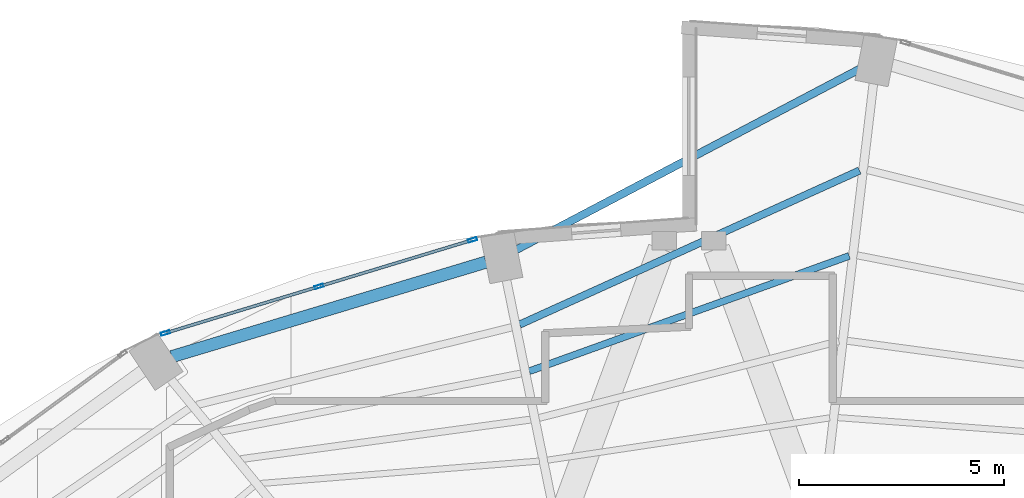
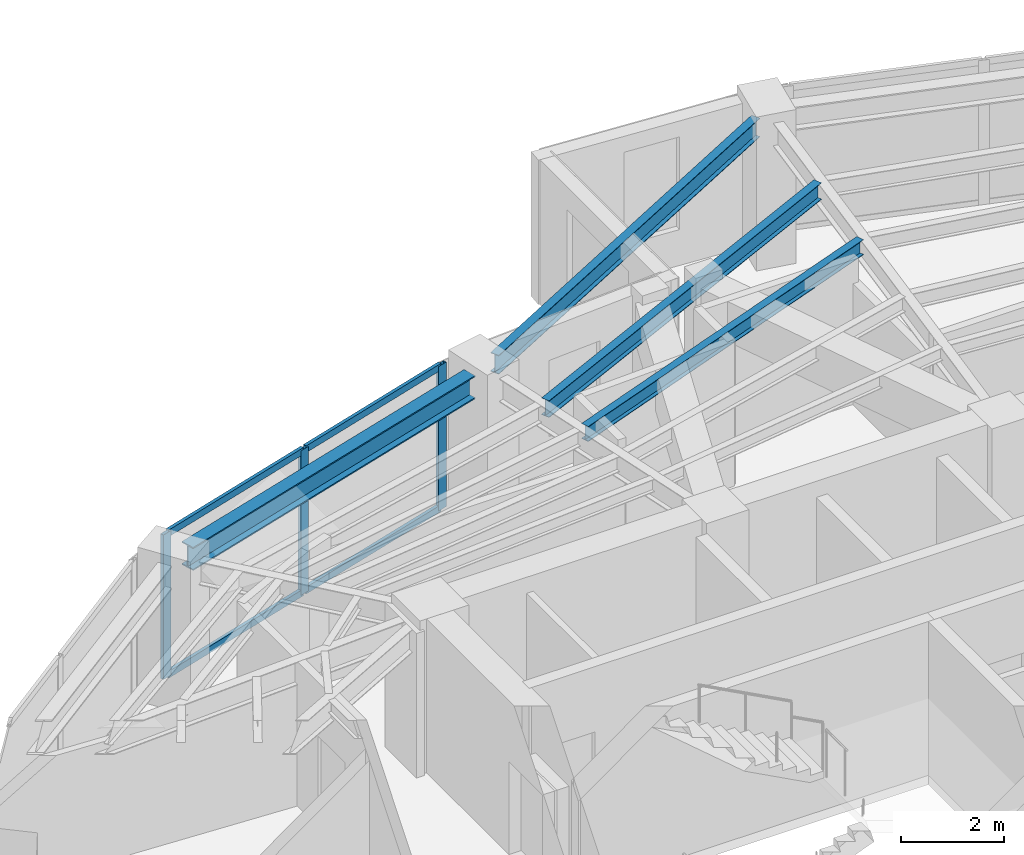
# One storey, part 12 of 20: 7 members, 4 beams, 1 element without a shape of its own.
"""IFC4 building model written with IfcOpenShell, lengths in metres."""

from ifc_helpers import new_model, si_unit, direction, frame, origin, origin_2d, place, context, subcontext, project, spatial, hollow_rectangle, i_section, extrude, material, layer, layer_set, material_profile, profile_set, type_object, element, aggregate, save


model = new_model("IFC4")

# Units and contexts
model_context = context("Model", 3, precision=1e-05, world=origin(), true_north=direction((0.0, 1.0)))
body_context = subcontext(model_context, "Body", "Model", "MODEL_VIEW")
ifc_project = project(units=[si_unit("LENGTHUNIT", "METRE"), si_unit("AREAUNIT", "SQUARE_METRE"), si_unit("VOLUMEUNIT", "CUBIC_METRE"), si_unit("PLANEANGLEUNIT", "RADIAN"), si_unit("MASSUNIT", "GRAM", prefix="KILO")], contexts=[model_context])

# Site, building, storey
site_placement = place(None, origin())
site = spatial("IfcSite", under=ifc_project, at=site_placement, CompositionType="ELEMENT")
building_placement = place(site_placement, origin())
building = spatial("IfcBuilding", under=site, at=building_placement, Name="Lazwardi Medical Tower", CompositionType="ELEMENT")
storey_placement = place(building_placement, frame((0.0, 0.0, 178.416015625)))
storey = spatial("IfcBuildingStorey", under=building, at=storey_placement, Name="L46", CompositionType="ELEMENT", Elevation=178.416015625)

# Beams
ifc_material_1 = material(Name="Steel S355", Category="steel")
ifc_material_profile_1 = material_profile(ifc_material_1, i_section(OverallWidth=0.300048828125, OverallDepth=0.550048828125, WebThickness=0.014892578125, FlangeThickness=0.029052734375, at=origin_2d()), Name="HEB 550")
ifc_profile_set_1 = profile_set([ifc_material_profile_1], Name="Steel S355")
beam_type_1 = type_object("IfcBeamType", Name="BM-RB-Z3", PredefinedType="BEAM", material=ifc_profile_set_1)
beam_1_placement = place(storey_placement, frame((31.056884765625, 42.133544921875, 3.153076171875), z_axis=(-0.957616873483, -0.288045002771, 0.0), x_axis=(0.288045002771, -0.957616873483, 0.0)))
element("IfcBeam", 1, at=beam_1_placement, inside=storey, type_object=beam_type_1, Name="Ring beam RB-04 B09 L46", PredefinedType="BEAM", context=body_context, shape_type="SweptSolid", body=[
    extrude(i_section(OverallWidth=0.300048828125, OverallDepth=0.550048828125, WebThickness=0.014892578125, FlangeThickness=0.029052734375, at=origin_2d()), origin(), (0.0, 0.0, 1.0), 7.99951171875),
])
ifc_material_profile_2 = material_profile(ifc_material_1, i_section(OverallWidth=0.179931640625, OverallDepth=0.39990234375, WebThickness=0.008544921875, FlangeThickness=0.013427734375, at=origin_2d()), Name="IPE 400")
ifc_profile_set_2 = profile_set([ifc_material_profile_2], Name="Steel S355")
beam_type_2 = type_object("IfcBeamType", Name="BM-SJ-01", PredefinedType="JOIST", material=ifc_profile_set_2)
beam_2_placement = place(storey_placement, frame((40.155029296875, 44.3642578125, 3.22802734375), z_axis=(-0.910834000674, -0.412772846995, 0.0), x_axis=(0.412772846995, -0.910834000674, 0.0)))
element("IfcBeam", 2, at=beam_2_placement, inside=storey, type_object=beam_type_2, Name="Secondary joist SJ-01 R1 B08 L46", PredefinedType="JOIST", context=body_context, shape_type="SweptSolid", body=[
    extrude(i_section(OverallWidth=0.179931640625, OverallDepth=0.39990234375, WebThickness=0.008544921875, FlangeThickness=0.013427734375, at=origin_2d()), origin(), (0.0, 0.0, 1.0), 9.09130859375),
])
ifc_material_profile_3 = material_profile(ifc_material_1, i_section(OverallWidth=0.169921875, OverallDepth=0.360107421875, WebThickness=0.008056640625, FlangeThickness=0.0126953125, at=origin_2d()), Name="IPE 360")
ifc_profile_set_3 = profile_set([ifc_material_profile_3], Name="Steel S355")
beam_type_3 = type_object("IfcBeamType", Name="BM-SJ-02", PredefinedType="JOIST", material=ifc_profile_set_3)
beam_3_placement = place(storey_placement, frame((39.904052734375, 42.284423828125, 3.248046875), z_axis=(-0.940747993319, -0.339106492221, 0.0), x_axis=(0.339106492221, -0.940747993319, 0.0)))
element("IfcBeam", 3, at=beam_3_placement, inside=storey, type_object=beam_type_3, Name="Secondary joist SJ-02 R2 B08 L46", PredefinedType="JOIST", context=body_context, shape_type="SweptSolid", body=[
    extrude(i_section(OverallWidth=0.169921875, OverallDepth=0.360107421875, WebThickness=0.008056640625, FlangeThickness=0.0126953125, at=origin_2d()), origin(), (0.0, 0.0, 1.0), 8.28662109375),
])
ifc_material_profile_4 = material_profile(ifc_material_1, i_section(OverallWidth=0.18994140625, OverallDepth=0.449951171875, WebThickness=0.009521484375, FlangeThickness=0.0146484375, at=origin_2d()), Name="IPE 450")
ifc_profile_set_4 = profile_set([ifc_material_profile_4], Name="Steel S355")
beam_type_4 = type_object("IfcBeamType", Name="BM-SP-01", PredefinedType="SPANDREL", material=ifc_profile_set_4)
beam_4_placement = place(storey_placement, frame((40.206298828125, 46.862548828125, 3.202880859375), z_axis=(-0.884926578414, -0.465730556026, 0.0), x_axis=(0.465730556026, -0.884926578414, 0.0)))
element("IfcBeam", 4, at=beam_4_placement, inside=storey, type_object=beam_type_4, Name="Spandrel beam SP-01 B08 L46", PredefinedType="SPANDREL", context=body_context, shape_type="SweptSolid", body=[
    extrude(i_section(OverallWidth=0.18994140625, OverallDepth=0.449951171875, WebThickness=0.009521484375, FlangeThickness=0.0146484375, at=origin_2d()), origin(), (0.0, 0.0, 1.0), 9.506591796875),
])

# Curtain wall, members
ifc_material_2 = material(Name="Anodised bronze aluminium and solar control glazing", Category="aluminium")
ifc_layer = layer(ifc_material_2, 0.195068359375)
ifc_layer_set = layer_set([ifc_layer], Name="Anodised bronze aluminium and solar control glazing")
curtain_wall_type = type_object("IfcCurtainWallType", Name="CW-SYS-03", PredefinedType="NOTDEFINED", material=ifc_layer_set)
curtain_wall_placement = place(storey_placement, origin())
curtain_wall = element("IfcCurtainWall", 5, at=curtain_wall_placement, inside=storey, type_object=curtain_wall_type, Name="L46 Unitised bronze curtain wall CW-03", PredefinedType="NOTDEFINED")
ifc_material_3 = material(Name="Anodised bronze aluminium", Category="aluminium")
ifc_material_profile_5 = material_profile(ifc_material_3, hollow_rectangle(XDim=0.074951171875, YDim=0.219970703125, WallThickness=0.00390625, at=origin_2d()), Name="ALU-MULLION 220x75x4")
ifc_profile_set_5 = profile_set([ifc_material_profile_5], Name="Anodised bronze aluminium")
member_type_1 = type_object("IfcMemberType", Name="CW-MUL-01", PredefinedType="MULLION", material=ifc_profile_set_5)
member_1_placement = place(storey_placement, frame((30.72802734375, 42.674072265625, 0.0), z_axis=(0.0, 0.0, 1.0), x_axis=(0.290280785441, -0.956941516292, 0.0)))
member_1 = element("IfcMember", 6, at=member_1_placement, type_object=member_type_1, Name="CW-03 mullion 1", PredefinedType="MULLION", context=body_context, shape_type="SweptSolid", body=[
    extrude(hollow_rectangle(XDim=0.074951171875, YDim=0.219970703125, WallThickness=0.00390625, at=origin_2d()), origin(), (0.0, 0.0, 1.0), 3.427978515625),
])
member_2_placement = place(storey_placement, frame((26.98486328125, 41.538818359375, 0.0), z_axis=(0.0, 0.0, 1.0), x_axis=(0.290280785441, -0.956941516292, 0.0)))
member_2 = element("IfcMember", 7, at=member_2_placement, type_object=member_type_1, Name="CW-03 mullion 2", PredefinedType="MULLION", context=body_context, shape_type="SweptSolid", body=[
    extrude(hollow_rectangle(XDim=0.074951171875, YDim=0.219970703125, WallThickness=0.00390625, at=origin_2d()), origin(), (0.0, 0.0, 1.0), 3.427978515625),
])
member_3_placement = place(storey_placement, frame((23.241943359375, 40.4033203125, 0.0), z_axis=(0.0, 0.0, 1.0), x_axis=(0.290280785441, -0.956941516292, 0.0)))
member_3 = element("IfcMember", 8, at=member_3_placement, type_object=member_type_1, Name="CW-03 mullion 3", PredefinedType="MULLION", context=body_context, shape_type="SweptSolid", body=[
    extrude(hollow_rectangle(XDim=0.074951171875, YDim=0.219970703125, WallThickness=0.00390625, at=origin_2d()), origin(), (0.0, 0.0, 1.0), 3.427978515625),
])
ifc_material_profile_6 = material_profile(ifc_material_3, hollow_rectangle(XDim=0.074951171875, YDim=0.159912109375, WallThickness=0.00390625, at=origin_2d()), Name="ALU-TRANSOM 160x75x4")
ifc_profile_set_6 = profile_set([ifc_material_profile_6], Name="Anodised bronze aluminium")
member_type_2 = type_object("IfcMemberType", Name="CW-TRN-01", PredefinedType="USERDEFINED", material=ifc_profile_set_6)
member_4_placement = place(storey_placement, frame((30.692138671875, 42.663330078125, 0.03759765625), z_axis=(-0.956935517424, -0.290300560612, 0.0), x_axis=(0.290300560612, -0.956935517424, 0.0)))
member_4 = element("IfcMember", 9, at=member_4_placement, type_object=member_type_2, Name="CW-03 transom 1.1", ObjectType="TRANSOM", PredefinedType="USERDEFINED", context=body_context, shape_type="SweptSolid", body=[
    extrude(hollow_rectangle(XDim=0.074951171875, YDim=0.159912109375, WallThickness=0.00390625, at=origin_2d()), origin(), (0.0, 0.0, 1.0), 3.836669921875),
])
member_5_placement = place(storey_placement, frame((30.692138671875, 42.663330078125, 3.390380859375), z_axis=(-0.956935517424, -0.290300560612, 0.0), x_axis=(0.290300560612, -0.956935517424, 0.0)))
member_5 = element("IfcMember", 10, at=member_5_placement, type_object=member_type_2, Name="CW-03 transom 1.2", ObjectType="TRANSOM", PredefinedType="USERDEFINED", context=body_context, shape_type="SweptSolid", body=[
    extrude(hollow_rectangle(XDim=0.074951171875, YDim=0.159912109375, WallThickness=0.00390625, at=origin_2d()), origin(), (0.0, 0.0, 1.0), 3.836669921875),
])
member_6_placement = place(storey_placement, frame((26.948974609375, 41.52783203125, 0.03759765625), z_axis=(-0.956930154175, -0.290318239233, 0.0), x_axis=(0.290318239233, -0.956930154175, 0.0)))
member_6 = element("IfcMember", 11, at=member_6_placement, type_object=member_type_2, Name="CW-03 transom 2.1", ObjectType="TRANSOM", PredefinedType="USERDEFINED", context=body_context, shape_type="SweptSolid", body=[
    extrude(hollow_rectangle(XDim=0.074951171875, YDim=0.159912109375, WallThickness=0.00390625, at=origin_2d()), origin(), (0.0, 0.0, 1.0), 3.83642578125),
])
member_7_placement = place(storey_placement, frame((26.948974609375, 41.52783203125, 3.390380859375), z_axis=(-0.956930154175, -0.290318239233, 0.0), x_axis=(0.290318239233, -0.956930154175, 0.0)))
member_7 = element("IfcMember", 12, at=member_7_placement, type_object=member_type_2, Name="CW-03 transom 2.2", ObjectType="TRANSOM", PredefinedType="USERDEFINED", context=body_context, shape_type="SweptSolid", body=[
    extrude(hollow_rectangle(XDim=0.074951171875, YDim=0.159912109375, WallThickness=0.00390625, at=origin_2d()), origin(), (0.0, 0.0, 1.0), 3.83642578125),
])
aggregate(curtain_wall, [member_1, member_2, member_3, member_4, member_5, member_6, member_7])

save(model, "model.ifc")
